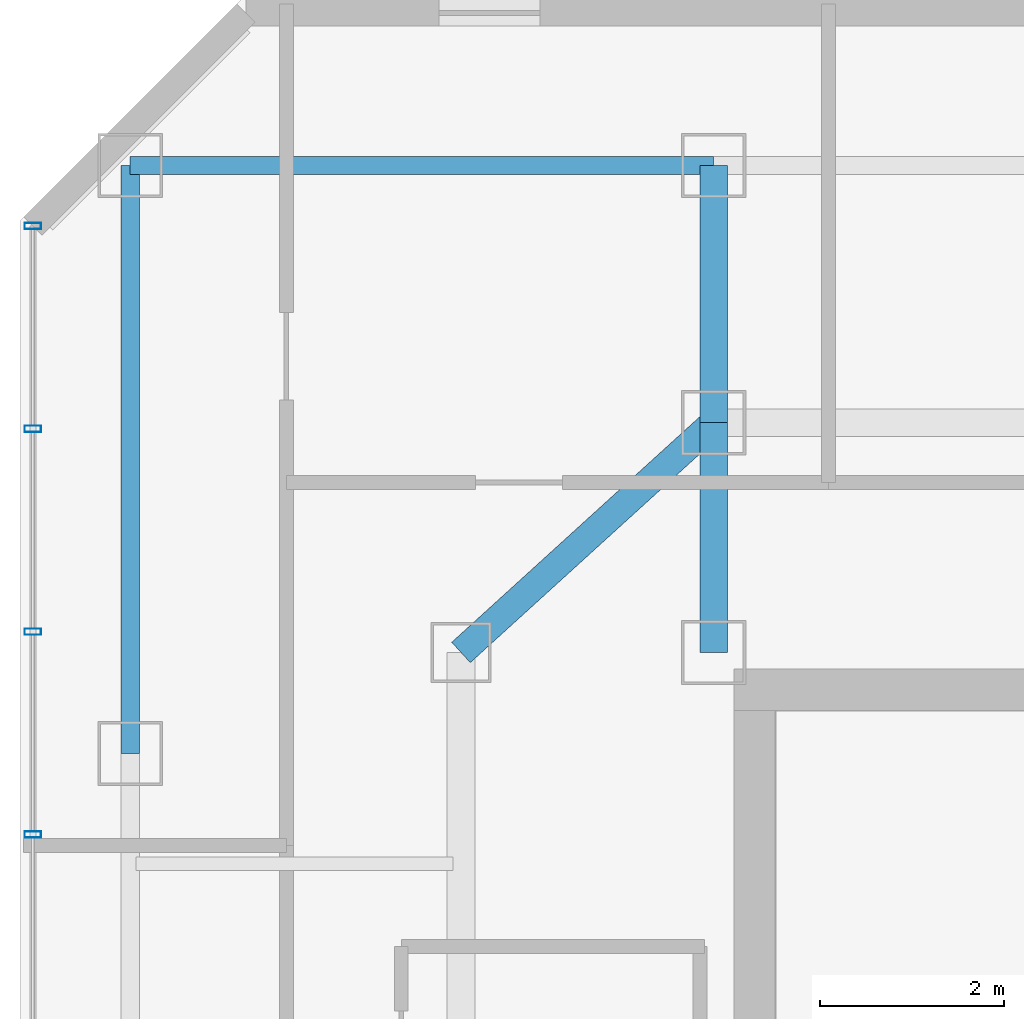
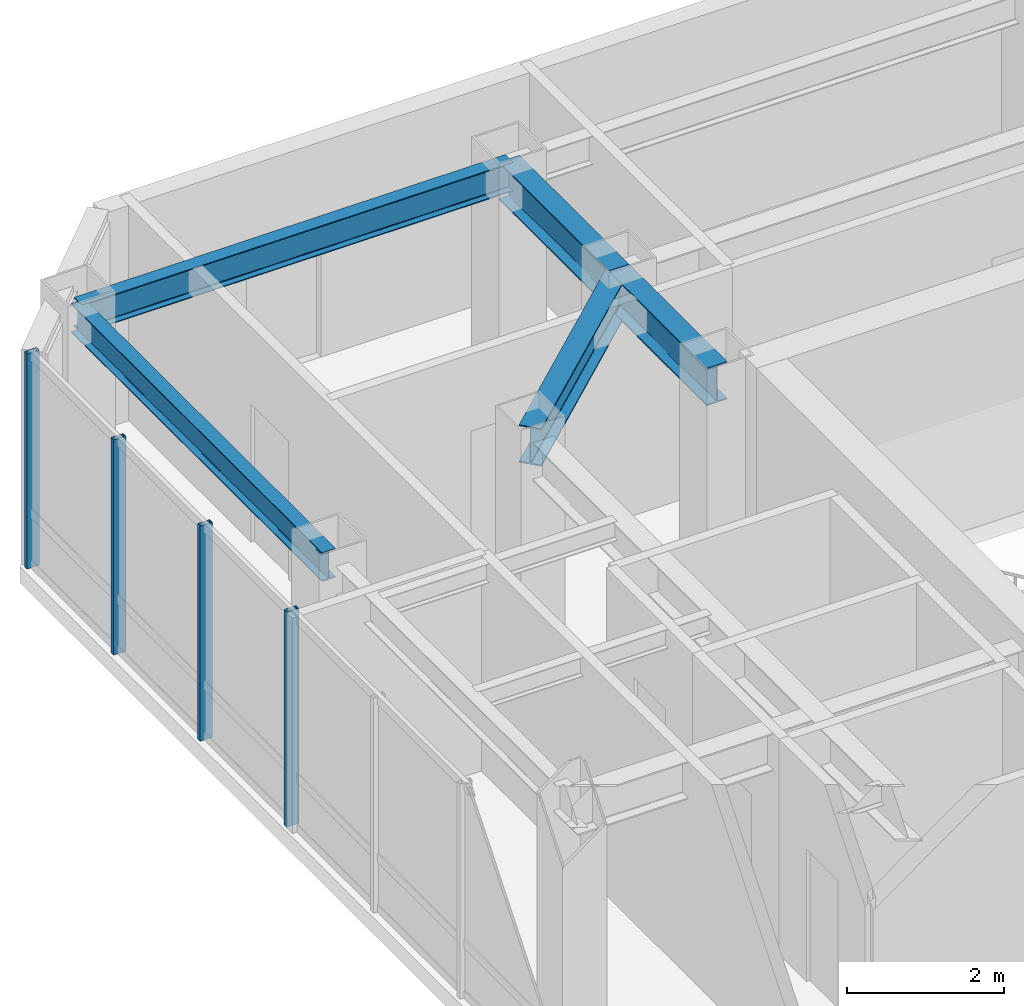
# One storey, part 15 of 25: 5 beams, 4 members, 1 element without a shape of its own.
"""IFC4 building model written with IfcOpenShell, lengths in metres."""

from ifc_helpers import new_model, si_unit, direction, frame, origin, origin_2d, place, context, subcontext, project, spatial, hollow_rectangle, i_section, extrude, material, layer, layer_set, material_profile, profile_set, type_object, element, aggregate, save


model = new_model("IFC4")

# Units and contexts
model_context = context("Model", 3, precision=1e-05, world=origin(), true_north=direction((0.0, 1.0)))
body_context = subcontext(model_context, "Body", "Model", "MODEL_VIEW")
ifc_project = project(units=[si_unit("LENGTHUNIT", "METRE"), si_unit("AREAUNIT", "SQUARE_METRE"), si_unit("VOLUMEUNIT", "CUBIC_METRE"), si_unit("PLANEANGLEUNIT", "RADIAN"), si_unit("MASSUNIT", "GRAM", prefix="KILO")], contexts=[model_context])

# Site, building, storey
site_placement = place(None, origin())
site = spatial("IfcSite", under=ifc_project, at=site_placement, CompositionType="ELEMENT")
building_placement = place(site_placement, origin())
building = spatial("IfcBuilding", under=site, at=building_placement, Name="Hatsunagi Terrace Concourse", CompositionType="ELEMENT")
storey_placement = place(building_placement, frame((0.0, 0.0, 216.75)))
storey = spatial("IfcBuildingStorey", under=building, at=storey_placement, Name="L57", CompositionType="ELEMENT", Elevation=216.75)

# Curtain wall, members
ifc_material_1 = material(Name="Anodised Aluminium Alloy 6063-T5", Category="aluminium")
ifc_layer = layer(ifc_material_1, 0.199951171875)
ifc_layer_set = layer_set([ifc_layer], Name="OfficeZone2_CW04")
curtain_wall_type = type_object("IfcCurtainWallType", Name="OfficeZone2_CW04", PredefinedType="NOTDEFINED", material=ifc_layer_set)
curtain_wall_placement = place(storey_placement, origin())
curtain_wall = element("IfcCurtainWall", 1, at=curtain_wall_placement, inside=storey, type_object=curtain_wall_type, Name="Unitised Curtain Wall CW-04 CW-L57-08", PredefinedType="NOTDEFINED")
ifc_material_2 = material(Name="Anodised Aluminium Alloy 6063-T5", Category="aluminium")
ifc_material_profile_1 = material_profile(ifc_material_2, hollow_rectangle(XDim=0.070068359375, YDim=0.179931640625, WallThickness=0.00390625, at=origin_2d()), Name="ALU-MUL-180x70x4")
ifc_profile_set_1 = profile_set([ifc_material_profile_1], Name="Anodised Aluminium Alloy 6063-T5")
member_type = type_object("IfcMemberType", Name="CurtainWallMullion_180x70", PredefinedType="MULLION", material=ifc_profile_set_1)
member_1_placement = place(storey_placement, frame((18.139892578125, 41.31689453125, 0.0), z_axis=(0.0, 0.0, 1.0), x_axis=(0.0, 1.0, 0.0)))
member_1 = element("IfcMember", 2, at=member_1_placement, type_object=member_type, Name="Curtain Wall Mullion MUL-02", PredefinedType="MULLION", context=body_context, shape_type="SweptSolid", body=[
    extrude(hollow_rectangle(XDim=0.070068359375, YDim=0.179931640625, WallThickness=0.00390625, at=origin_2d()), origin(), (0.0, 0.0, 1.0), 3.35009765625),
])
member_2_placement = place(storey_placement, frame((18.139892578125, 43.52490234375, 0.0), z_axis=(0.0, 0.0, 1.0), x_axis=(0.0, 1.0, 0.0)))
member_2 = element("IfcMember", 3, at=member_2_placement, type_object=member_type, Name="Curtain Wall Mullion MUL-02", PredefinedType="MULLION", context=body_context, shape_type="SweptSolid", body=[
    extrude(hollow_rectangle(XDim=0.070068359375, YDim=0.179931640625, WallThickness=0.00390625, at=origin_2d()), origin(), (0.0, 0.0, 1.0), 3.35009765625),
])
member_3_placement = place(storey_placement, frame((18.139892578125, 45.73388671875, 0.0), z_axis=(0.0, 0.0, 1.0), x_axis=(0.0, 1.0, 0.0)))
member_3 = element("IfcMember", 4, at=member_3_placement, type_object=member_type, Name="Curtain Wall Mullion MUL-02", PredefinedType="MULLION", context=body_context, shape_type="SweptSolid", body=[
    extrude(hollow_rectangle(XDim=0.070068359375, YDim=0.179931640625, WallThickness=0.00390625, at=origin_2d()), origin(), (0.0, 0.0, 1.0), 3.35009765625),
])
member_4_placement = place(storey_placement, frame((18.139892578125, 47.94189453125, 0.0), z_axis=(0.0, 0.0, 1.0), x_axis=(0.0, 1.0, 0.0)))
member_4 = element("IfcMember", 5, at=member_4_placement, type_object=member_type, Name="Curtain Wall Mullion MUL-02", PredefinedType="MULLION", context=body_context, shape_type="SweptSolid", body=[
    extrude(hollow_rectangle(XDim=0.070068359375, YDim=0.179931640625, WallThickness=0.00390625, at=origin_2d()), origin(), (0.0, 0.0, 1.0), 3.35009765625),
])
aggregate(curtain_wall, [member_1, member_2, member_3, member_4])

# Beams
ifc_material_3 = material(Name="Steel SN490B", Category="steel")
ifc_material_profile_2 = material_profile(ifc_material_3, i_section(OverallWidth=0.300048828125, OverallDepth=0.587890625, WebThickness=0.011962890625, FlangeThickness=0.02001953125, FilletRadius=0.01806640625, at=origin_2d()), Name="H-588x300x12x20")
ifc_profile_set_2 = profile_set([ifc_material_profile_2], Name="Steel SN490B")
beam_type_1 = type_object("IfcBeamType", Name="OfficeHighGirder_H_588x300", PredefinedType="BEAM", material=ifc_profile_set_2)
beam_1_placement = place(storey_placement, frame((25.550048828125, 43.300048828125, 3.055908203125), z_axis=(0.0, 1.0, 0.0), x_axis=(-1.0, 0.0, 0.0)))
element("IfcBeam", 6, at=beam_1_placement, inside=storey, type_object=beam_type_1, Name="Beam G-06 BM-L57-CN1", PredefinedType="BEAM", context=body_context, shape_type="SweptSolid", body=[
    extrude(i_section(OverallWidth=0.300048828125, OverallDepth=0.587890625, WebThickness=0.011962890625, FlangeThickness=0.02001953125, FilletRadius=0.01806640625, at=origin_2d()), origin(), (0.0, 0.0, 1.0), 2.5),
])
beam_2_placement = place(storey_placement, frame((25.550048828125, 45.800048828125, 3.055908203125), z_axis=(0.0, 1.0, 0.0), x_axis=(-1.0, 0.0, 0.0)))
element("IfcBeam", 7, at=beam_2_placement, inside=storey, type_object=beam_type_1, Name="Beam G-06 BM-L57-KN-WN4", PredefinedType="BEAM", context=body_context, shape_type="SweptSolid", body=[
    extrude(i_section(OverallWidth=0.300048828125, OverallDepth=0.587890625, WebThickness=0.011962890625, FlangeThickness=0.02001953125, FilletRadius=0.01806640625, at=origin_2d()), origin(), (0.0, 0.0, 1.0), 2.800048828125),
])
beam_3_placement = place(storey_placement, frame((22.800048828125, 43.300048828125, 3.055908203125), z_axis=(0.739940073396, 0.672672793996, 0.0), x_axis=(-0.672672793996, 0.739940073396, 0.0)))
element("IfcBeam", 8, at=beam_3_placement, inside=storey, type_object=beam_type_1, Name="Beam G-06 BM-L57-CWEW-N", PredefinedType="BEAM", context=body_context, shape_type="SweptSolid", body=[
    extrude(i_section(OverallWidth=0.300048828125, OverallDepth=0.587890625, WebThickness=0.011962890625, FlangeThickness=0.02001953125, FilletRadius=0.01806640625, at=origin_2d()), origin(), (0.0, 0.0, 1.0), 3.716552734375),
])
ifc_material_4 = material(Name="Steel SN490B", Category="steel")
ifc_material_profile_3 = material_profile(ifc_material_4, i_section(OverallWidth=0.199951171875, OverallDepth=0.449951171875, WebThickness=0.009033203125, FlangeThickness=0.013916015625, FilletRadius=0.01611328125, at=origin_2d()), Name="H-450x200x9x14")
ifc_profile_set_3 = profile_set([ifc_material_profile_3], Name="Steel SN490B")
beam_type_2 = type_object("IfcBeamType", Name="PerimeterSpandrel_H_450x200", PredefinedType="SPANDREL", material=ifc_profile_set_3)
beam_4_placement = place(storey_placement, frame((19.199951171875, 48.60009765625, 3.125), z_axis=(1.0, 0.0, 0.0), x_axis=(0.0, 1.0, 0.0)))
element("IfcBeam", 9, at=beam_4_placement, inside=storey, type_object=beam_type_2, Name="Beam SP-02 BM-L57-WN-19", PredefinedType="SPANDREL", context=body_context, shape_type="SweptSolid", body=[
    extrude(i_section(OverallWidth=0.199951171875, OverallDepth=0.449951171875, WebThickness=0.009033203125, FlangeThickness=0.013916015625, FilletRadius=0.01611328125, at=origin_2d()), origin(), (0.0, 0.0, 1.0), 6.35009765625),
])
beam_5_placement = place(storey_placement, frame((19.199951171875, 42.199951171875, 3.125), z_axis=(0.0, 1.0, 0.0), x_axis=(-1.0, 0.0, 0.0)))
element("IfcBeam", 10, at=beam_5_placement, inside=storey, type_object=beam_type_2, Name="Beam SP-02 BM-L57-NS-19-42", PredefinedType="SPANDREL", context=body_context, shape_type="SweptSolid", body=[
    extrude(i_section(OverallWidth=0.199951171875, OverallDepth=0.449951171875, WebThickness=0.009033203125, FlangeThickness=0.013916015625, FilletRadius=0.01611328125, at=origin_2d()), origin(), (0.0, 0.0, 1.0), 6.400146484375),
])

save(model, "model.ifc")
